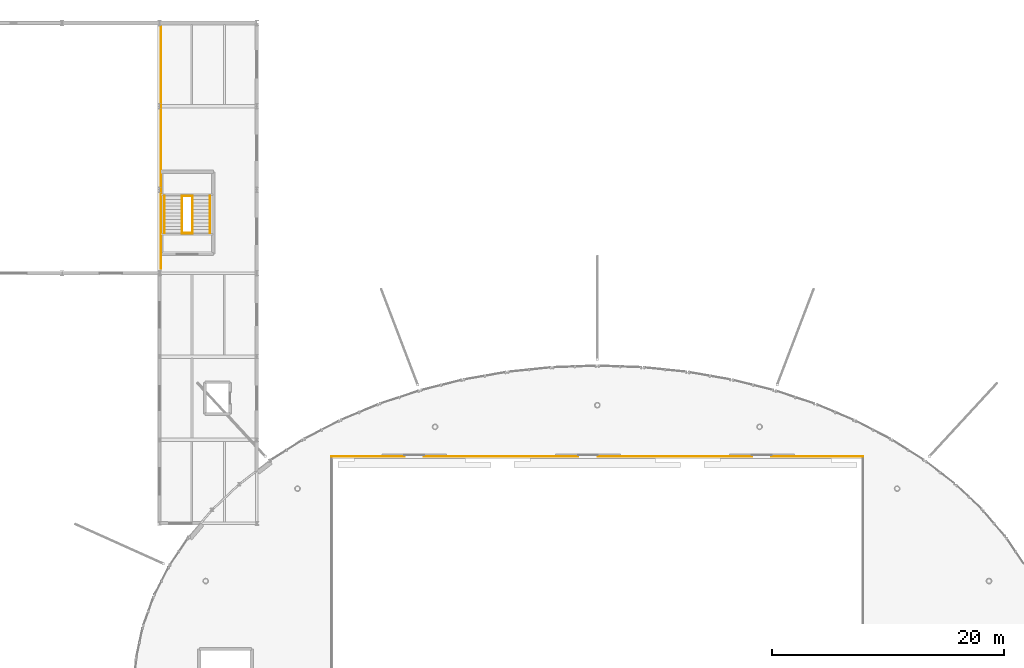
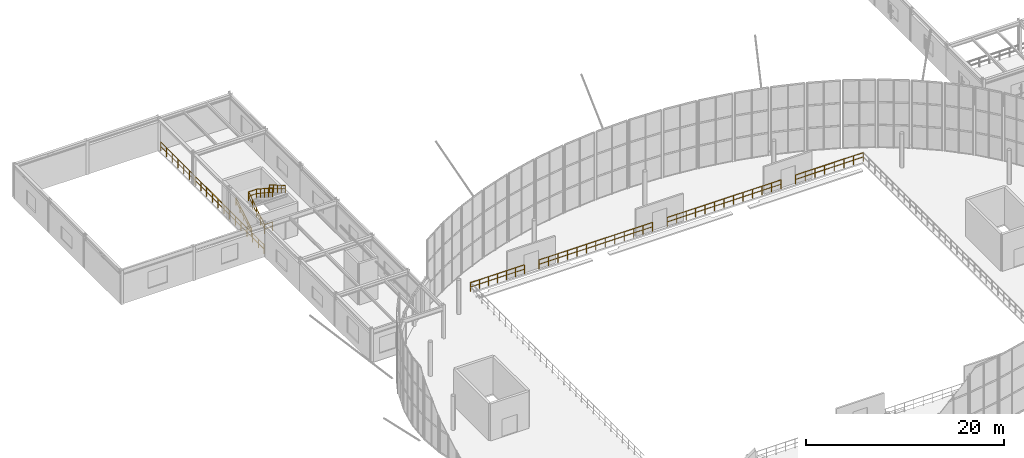
# One storey, part 86 of 109: 11 railings.
"""IFC4 building model written with IfcOpenShell, lengths in metres."""

from ifc_helpers import new_model, si_unit, derived_unit, direction, frame, origin, origin_2d, place, context, subcontext, project, spatial, circle, extrude, material, type_object, element, save


model = new_model("IFC4")

# Units and contexts
model_context = context("Model", 3, precision=1e-05, world=origin(), true_north=direction((0.0, 1.0)))
body_context = subcontext(model_context, "Body", "Model", "MODEL_VIEW")
ifc_project = project(units=[si_unit("LENGTHUNIT", "METRE"), si_unit("AREAUNIT", "SQUARE_METRE"), si_unit("VOLUMEUNIT", "CUBIC_METRE"), si_unit("PLANEANGLEUNIT", "RADIAN"), si_unit("MASSUNIT", "GRAM", prefix="KILO"), derived_unit("THERMALTRANSMITTANCEUNIT", [(si_unit("MASSUNIT", "GRAM", prefix="KILO"), 1), (si_unit("TIMEUNIT", "SECOND"), -3), (si_unit("THERMODYNAMICTEMPERATUREUNIT", "KELVIN"), -1)])], contexts=[model_context])

# Site, building, storey
site_placement = place(None, origin())
site = spatial("IfcSite", under=ifc_project, at=site_placement, CompositionType="ELEMENT")
building_placement = place(site_placement, origin())
building = spatial("IfcBuilding", under=site, at=building_placement, Name="Kharveza Railside Sports Centre", CompositionType="ELEMENT")
storey_placement = place(building_placement, frame((0.0, 0.0, 4.5)))
storey = spatial("IfcBuildingStorey", under=building, at=storey_placement, Name="L01", CompositionType="ELEMENT", Elevation=4.5)

# Railings
ifc_material = material(Name="Steel S275JR", Category="steel")
railing_type_1 = type_object("IfcRailingType", Name="RL-GD110", PredefinedType="GUARDRAIL", material=ifc_material)
railing_1_placement = place(storey_placement, frame((18.72998046875, 89.840087890625, 0.0)))
element("IfcRailing", 1, at=railing_1_placement, inside=storey, type_object=railing_type_1, Name="RL-STSLOT-ST6-L01", PredefinedType="GUARDRAIL", context=body_context, shape_type="SweptSolid", body=[
    extrude(circle(Radius=0.02392578125, at=origin_2d()), frame((0.0, 0.0, 1.09619140625), z_axis=(1.0, 0.0, 0.0), x_axis=(0.0, 1.0, 0.0)), (0.0, 0.0, 1.0), 0.93994140625),
    extrude(circle(Radius=0.01611328125, at=origin_2d()), frame((0.0, 0.0, 0.56005859375), z_axis=(1.0, 0.0, 0.0), x_axis=(0.0, 1.0, 0.0)), (0.0, 0.0, 1.0), 0.93994140625),
    extrude(circle(Radius=0.02099609375, at=origin_2d()), origin(), (0.0, 0.0, 1.0), 1.072021484375),
    extrude(circle(Radius=0.02099609375, at=origin_2d()), frame((0.93994140625, 0.0, 0.0)), (0.0, 0.0, 1.0), 1.072021484375),
])
railing_2_placement = place(storey_placement, frame((18.72998046875, 89.860107421875, 0.0)))
element("IfcRailing", 2, at=railing_2_placement, inside=storey, type_object=railing_type_1, Name="STR-ST6-L01-GD1", PredefinedType="GUARDRAIL", context=body_context, shape_type="SweptSolid", body=[
    extrude(circle(Radius=0.02392578125, at=origin_2d()), frame((0.0, 0.0, 1.09619140625), z_axis=(0.0, 0.835242474824, 0.549881812983), x_axis=(-1.0, 0.0, 0.0)), (0.0, 0.0, 1.0), 3.819091796875),
    extrude(circle(Radius=0.01611328125, at=origin_2d()), frame((0.0, 0.0, 0.56005859375), z_axis=(0.0, 0.835242474824, 0.549881812983), x_axis=(-1.0, 0.0, 0.0)), (0.0, 0.0, 1.0), 3.819091796875),
    extrude(circle(Radius=0.02099609375, at=origin_2d()), origin(), (0.0, 0.0, 1.0), 1.072021484375),
    extrude(circle(Radius=0.02099609375, at=origin_2d()), frame((0.0, 0.79736328125, 0.52490234375)), (0.0, 0.0, 1.0), 1.072021484375),
    extrude(circle(Radius=0.02099609375, at=origin_2d()), frame((0.0, 1.594970703125, 1.050048828125)), (0.0, 0.0, 1.0), 1.072021484375),
    extrude(circle(Radius=0.02099609375, at=origin_2d()), frame((0.0, 2.392578125, 1.5751953125)), (0.0, 0.0, 1.0), 1.072021484375),
    extrude(circle(Radius=0.02099609375, at=origin_2d()), frame((0.0, 3.18994140625, 2.10009765625)), (0.0, 0.0, 1.0), 1.072021484375),
])
railing_3_placement = place(storey_placement, frame((19.669921875, 93.050048828125, 2.10009765625)))
element("IfcRailing", 3, at=railing_3_placement, inside=storey, type_object=railing_type_1, Name="STR-ST6-L01-GD2", PredefinedType="GUARDRAIL", context=body_context, shape_type="SweptSolid", body=[
    extrude(circle(Radius=0.02392578125, at=origin_2d()), frame((0.0, 0.0, 1.09619140625), z_axis=(0.0, -0.835271834381, 0.549837214719), x_axis=(1.0, 0.0, 0.0)), (0.0, 0.0, 1.0), 3.819091796875),
    extrude(circle(Radius=0.01611328125, at=origin_2d()), frame((0.0, 0.0, 0.56005859375), z_axis=(0.0, -0.835271834381, 0.549837214719), x_axis=(1.0, 0.0, 0.0)), (0.0, 0.0, 1.0), 3.819091796875),
    extrude(circle(Radius=0.02099609375, at=origin_2d()), origin(), (0.0, 0.0, 1.0), 1.072021484375),
    extrude(circle(Radius=0.02099609375, at=origin_2d()), frame((0.0, -0.79736328125, 0.52490234375)), (0.0, 0.0, 1.0), 1.072021484375),
    extrude(circle(Radius=0.02099609375, at=origin_2d()), frame((0.0, -1.594970703125, 1.0498046875)), (0.0, 0.0, 1.0), 1.072021484375),
    extrude(circle(Radius=0.02099609375, at=origin_2d()), frame((0.0, -2.392578125, 1.574951171875)), (0.0, 0.0, 1.0), 1.072021484375),
    extrude(circle(Radius=0.02099609375, at=origin_2d()), frame((0.0, -3.18994140625, 2.099853515625)), (0.0, 0.0, 1.0), 1.072021484375),
])
railing_4_placement = place(storey_placement, frame((18.72998046875, 93.050048828125, 2.10009765625)))
element("IfcRailing", 4, at=railing_4_placement, inside=storey, type_object=railing_type_1, Name="STR-ST6-L01-GDH", PredefinedType="GUARDRAIL", context=body_context, shape_type="SweptSolid", body=[
    extrude(circle(Radius=0.02392578125, at=origin_2d()), frame((0.0, 0.0, 1.09619140625), z_axis=(1.0, 0.0, 0.0), x_axis=(0.0, 1.0, 0.0)), (0.0, 0.0, 1.0), 0.93994140625),
    extrude(circle(Radius=0.01611328125, at=origin_2d()), frame((0.0, 0.0, 0.56005859375), z_axis=(1.0, 0.0, 0.0), x_axis=(0.0, 1.0, 0.0)), (0.0, 0.0, 1.0), 0.93994140625),
    extrude(circle(Radius=0.02099609375, at=origin_2d()), origin(), (0.0, 0.0, 1.0), 1.072021484375),
    extrude(circle(Radius=0.02099609375, at=origin_2d()), frame((0.93994140625, 0.0, 0.0)), (0.0, 0.0, 1.0), 1.072021484375),
])
railing_5_placement = place(storey_placement, frame((31.64990234375, 70.550048828125, 0.0)))
element("IfcRailing", 5, at=railing_5_placement, inside=storey, type_object=railing_type_1, Name="RL-BOWL-RN-1", PredefinedType="GUARDRAIL", context=body_context, shape_type="SweptSolid", body=[
    extrude(circle(Radius=0.02392578125, at=origin_2d()), frame((0.0, 0.0, 1.09619140625), z_axis=(1.0, 0.0, 0.0), x_axis=(0.0, 1.0, 0.0)), (0.0, 0.0, 1.0), 6.300048828125),
    extrude(circle(Radius=0.01611328125, at=origin_2d()), frame((0.0, 0.0, 0.56005859375), z_axis=(1.0, 0.0, 0.0), x_axis=(0.0, 1.0, 0.0)), (0.0, 0.0, 1.0), 6.300048828125),
    extrude(circle(Radius=0.02099609375, at=origin_2d()), origin(), (0.0, 0.0, 1.0), 1.072021484375),
    extrude(circle(Radius=0.02099609375, at=origin_2d()), frame((1.050048828125, 0.0, 0.0)), (0.0, 0.0, 1.0), 1.072021484375),
    extrude(circle(Radius=0.02099609375, at=origin_2d()), frame((2.10009765625, 0.0, 0.0)), (0.0, 0.0, 1.0), 1.072021484375),
    extrude(circle(Radius=0.02099609375, at=origin_2d()), frame((3.14990234375, 0.0, 0.0)), (0.0, 0.0, 1.0), 1.072021484375),
    extrude(circle(Radius=0.02099609375, at=origin_2d()), frame((4.199951171875, 0.0, 0.0)), (0.0, 0.0, 1.0), 1.072021484375),
    extrude(circle(Radius=0.02099609375, at=origin_2d()), frame((5.25, 0.0, 0.0)), (0.0, 0.0, 1.0), 1.072021484375),
    extrude(circle(Radius=0.02099609375, at=origin_2d()), frame((6.300048828125, 0.0, 0.0)), (0.0, 0.0, 1.0), 1.072021484375),
])
railing_6_placement = place(storey_placement, frame((39.64990234375, 70.550048828125, 0.0)))
element("IfcRailing", 6, at=railing_6_placement, inside=storey, type_object=railing_type_1, Name="RL-BOWL-RN-2", PredefinedType="GUARDRAIL", context=body_context, shape_type="SweptSolid", body=[
    extrude(circle(Radius=0.02392578125, at=origin_2d()), frame((0.0, 0.0, 1.09619140625), z_axis=(1.0, 0.0, 0.0), x_axis=(0.0, 1.0, 0.0)), (0.0, 0.0, 1.0), 13.300048828125),
    extrude(circle(Radius=0.01611328125, at=origin_2d()), frame((0.0, 0.0, 0.56005859375), z_axis=(1.0, 0.0, 0.0), x_axis=(0.0, 1.0, 0.0)), (0.0, 0.0, 1.0), 13.300048828125),
    extrude(circle(Radius=0.02099609375, at=origin_2d()), origin(), (0.0, 0.0, 1.0), 1.072021484375),
    extrude(circle(Radius=0.02099609375, at=origin_2d()), frame((1.1083984375, 0.0, 0.0)), (0.0, 0.0, 1.0), 1.072021484375),
    extrude(circle(Radius=0.02099609375, at=origin_2d()), frame((2.216796875, 0.0, 0.0)), (0.0, 0.0, 1.0), 1.072021484375),
    extrude(circle(Radius=0.02099609375, at=origin_2d()), frame((3.324951171875, 0.0, 0.0)), (0.0, 0.0, 1.0), 1.072021484375),
    extrude(circle(Radius=0.02099609375, at=origin_2d()), frame((4.433349609375, 0.0, 0.0)), (0.0, 0.0, 1.0), 1.072021484375),
    extrude(circle(Radius=0.02099609375, at=origin_2d()), frame((5.541748046875, 0.0, 0.0)), (0.0, 0.0, 1.0), 1.072021484375),
    extrude(circle(Radius=0.02099609375, at=origin_2d()), frame((6.64990234375, 0.0, 0.0)), (0.0, 0.0, 1.0), 1.072021484375),
    extrude(circle(Radius=0.02099609375, at=origin_2d()), frame((7.75830078125, 0.0, 0.0)), (0.0, 0.0, 1.0), 1.072021484375),
    extrude(circle(Radius=0.02099609375, at=origin_2d()), frame((8.86669921875, 0.0, 0.0)), (0.0, 0.0, 1.0), 1.072021484375),
    extrude(circle(Radius=0.02099609375, at=origin_2d()), frame((9.97509765625, 0.0, 0.0)), (0.0, 0.0, 1.0), 1.072021484375),
    extrude(circle(Radius=0.02099609375, at=origin_2d()), frame((11.08349609375, 0.0, 0.0)), (0.0, 0.0, 1.0), 1.072021484375),
    extrude(circle(Radius=0.02099609375, at=origin_2d()), frame((12.191650390625, 0.0, 0.0)), (0.0, 0.0, 1.0), 1.072021484375),
    extrude(circle(Radius=0.02099609375, at=origin_2d()), frame((13.300048828125, 0.0, 0.0)), (0.0, 0.0, 1.0), 1.072021484375),
])
railing_7_placement = place(storey_placement, frame((54.64990234375, 70.550048828125, 0.0)))
element("IfcRailing", 7, at=railing_7_placement, inside=storey, type_object=railing_type_1, Name="RL-BOWL-RN-3", PredefinedType="GUARDRAIL", context=body_context, shape_type="SweptSolid", body=[
    extrude(circle(Radius=0.02392578125, at=origin_2d()), frame((0.0, 0.0, 1.09619140625), z_axis=(1.0, 0.0, 0.0), x_axis=(0.0, 1.0, 0.0)), (0.0, 0.0, 1.0), 13.300048828125),
    extrude(circle(Radius=0.01611328125, at=origin_2d()), frame((0.0, 0.0, 0.56005859375), z_axis=(1.0, 0.0, 0.0), x_axis=(0.0, 1.0, 0.0)), (0.0, 0.0, 1.0), 13.300048828125),
    extrude(circle(Radius=0.02099609375, at=origin_2d()), origin(), (0.0, 0.0, 1.0), 1.072021484375),
    extrude(circle(Radius=0.02099609375, at=origin_2d()), frame((1.1083984375, 0.0, 0.0)), (0.0, 0.0, 1.0), 1.072021484375),
    extrude(circle(Radius=0.02099609375, at=origin_2d()), frame((2.216796875, 0.0, 0.0)), (0.0, 0.0, 1.0), 1.072021484375),
    extrude(circle(Radius=0.02099609375, at=origin_2d()), frame((3.324951171875, 0.0, 0.0)), (0.0, 0.0, 1.0), 1.072021484375),
    extrude(circle(Radius=0.02099609375, at=origin_2d()), frame((4.433349609375, 0.0, 0.0)), (0.0, 0.0, 1.0), 1.072021484375),
    extrude(circle(Radius=0.02099609375, at=origin_2d()), frame((5.541748046875, 0.0, 0.0)), (0.0, 0.0, 1.0), 1.072021484375),
    extrude(circle(Radius=0.02099609375, at=origin_2d()), frame((6.64990234375, 0.0, 0.0)), (0.0, 0.0, 1.0), 1.072021484375),
    extrude(circle(Radius=0.02099609375, at=origin_2d()), frame((7.75830078125, 0.0, 0.0)), (0.0, 0.0, 1.0), 1.072021484375),
    extrude(circle(Radius=0.02099609375, at=origin_2d()), frame((8.86669921875, 0.0, 0.0)), (0.0, 0.0, 1.0), 1.072021484375),
    extrude(circle(Radius=0.02099609375, at=origin_2d()), frame((9.97509765625, 0.0, 0.0)), (0.0, 0.0, 1.0), 1.072021484375),
    extrude(circle(Radius=0.02099609375, at=origin_2d()), frame((11.08349609375, 0.0, 0.0)), (0.0, 0.0, 1.0), 1.072021484375),
    extrude(circle(Radius=0.02099609375, at=origin_2d()), frame((12.191650390625, 0.0, 0.0)), (0.0, 0.0, 1.0), 1.072021484375),
    extrude(circle(Radius=0.02099609375, at=origin_2d()), frame((13.300048828125, 0.0, 0.0)), (0.0, 0.0, 1.0), 1.072021484375),
])
railing_8_placement = place(storey_placement, frame((69.64990234375, 70.550048828125, 0.0)))
element("IfcRailing", 8, at=railing_8_placement, inside=storey, type_object=railing_type_1, Name="RL-BOWL-RN-4", PredefinedType="GUARDRAIL", context=body_context, shape_type="SweptSolid", body=[
    extrude(circle(Radius=0.02392578125, at=origin_2d()), frame((0.0, 0.0, 1.09619140625), z_axis=(1.0, 0.0, 0.0), x_axis=(0.0, 1.0, 0.0)), (0.0, 0.0, 1.0), 7.900146484375),
    extrude(circle(Radius=0.01611328125, at=origin_2d()), frame((0.0, 0.0, 0.56005859375), z_axis=(1.0, 0.0, 0.0), x_axis=(0.0, 1.0, 0.0)), (0.0, 0.0, 1.0), 7.900146484375),
    extrude(circle(Radius=0.02099609375, at=origin_2d()), origin(), (0.0, 0.0, 1.0), 1.072021484375),
    extrude(circle(Radius=0.02099609375, at=origin_2d()), frame((1.128662109375, 0.0, 0.0)), (0.0, 0.0, 1.0), 1.072021484375),
    extrude(circle(Radius=0.02099609375, at=origin_2d()), frame((2.257080078125, 0.0, 0.0)), (0.0, 0.0, 1.0), 1.072021484375),
    extrude(circle(Radius=0.02099609375, at=origin_2d()), frame((3.3857421875, 0.0, 0.0)), (0.0, 0.0, 1.0), 1.072021484375),
    extrude(circle(Radius=0.02099609375, at=origin_2d()), frame((4.514404296875, 0.0, 0.0)), (0.0, 0.0, 1.0), 1.072021484375),
    extrude(circle(Radius=0.02099609375, at=origin_2d()), frame((5.64306640625, 0.0, 0.0)), (0.0, 0.0, 1.0), 1.072021484375),
    extrude(circle(Radius=0.02099609375, at=origin_2d()), frame((6.771484375, 0.0, 0.0)), (0.0, 0.0, 1.0), 1.072021484375),
    extrude(circle(Radius=0.02099609375, at=origin_2d()), frame((7.900146484375, 0.0, 0.0)), (0.0, 0.0, 1.0), 1.072021484375),
])
railing_9_placement = place(storey_placement, frame((16.919921875, 86.800048828125, 0.0)))
element("IfcRailing", 9, at=railing_9_placement, inside=storey, type_object=railing_type_1, Name="RL-CLIMB-GAL-L01", PredefinedType="GUARDRAIL", context=body_context, shape_type="SweptSolid", body=[
    extrude(circle(Radius=0.02392578125, at=origin_2d()), frame((0.0, 0.0, 1.09619140625), z_axis=(0.0, 1.0, 0.0), x_axis=(-1.0, 0.0, 0.0)), (0.0, 0.0, 1.0), 20.89990234375),
    extrude(circle(Radius=0.01611328125, at=origin_2d()), frame((0.0, 0.0, 0.56005859375), z_axis=(0.0, 1.0, 0.0), x_axis=(-1.0, 0.0, 0.0)), (0.0, 0.0, 1.0), 20.89990234375),
    extrude(circle(Radius=0.02099609375, at=origin_2d()), origin(), (0.0, 0.0, 1.0), 1.072021484375),
    extrude(circle(Radius=0.02099609375, at=origin_2d()), frame((0.0, 1.1611328125, 0.0)), (0.0, 0.0, 1.0), 1.072021484375),
    extrude(circle(Radius=0.02099609375, at=origin_2d()), frame((0.0, 2.322265625, 0.0)), (0.0, 0.0, 1.0), 1.072021484375),
    extrude(circle(Radius=0.02099609375, at=origin_2d()), frame((0.0, 3.4833984375, 0.0)), (0.0, 0.0, 1.0), 1.072021484375),
    extrude(circle(Radius=0.02099609375, at=origin_2d()), frame((0.0, 4.64453125, 0.0)), (0.0, 0.0, 1.0), 1.072021484375),
    extrude(circle(Radius=0.02099609375, at=origin_2d()), frame((0.0, 5.805419921875, 0.0)), (0.0, 0.0, 1.0), 1.072021484375),
    extrude(circle(Radius=0.02099609375, at=origin_2d()), frame((0.0, 6.966552734375, 0.0)), (0.0, 0.0, 1.0), 1.072021484375),
    extrude(circle(Radius=0.02099609375, at=origin_2d()), frame((0.0, 8.127685546875, 0.0)), (0.0, 0.0, 1.0), 1.072021484375),
    extrude(circle(Radius=0.02099609375, at=origin_2d()), frame((0.0, 9.288818359375, 0.0)), (0.0, 0.0, 1.0), 1.072021484375),
    extrude(circle(Radius=0.02099609375, at=origin_2d()), frame((0.0, 10.449951171875, 0.0)), (0.0, 0.0, 1.0), 1.072021484375),
    extrude(circle(Radius=0.02099609375, at=origin_2d()), frame((0.0, 11.611083984375, 0.0)), (0.0, 0.0, 1.0), 1.072021484375),
    extrude(circle(Radius=0.02099609375, at=origin_2d()), frame((0.0, 12.772216796875, 0.0)), (0.0, 0.0, 1.0), 1.072021484375),
    extrude(circle(Radius=0.02099609375, at=origin_2d()), frame((0.0, 13.933349609375, 0.0)), (0.0, 0.0, 1.0), 1.072021484375),
    extrude(circle(Radius=0.02099609375, at=origin_2d()), frame((0.0, 15.094482421875, 0.0)), (0.0, 0.0, 1.0), 1.072021484375),
    extrude(circle(Radius=0.02099609375, at=origin_2d()), frame((0.0, 16.25537109375, 0.0)), (0.0, 0.0, 1.0), 1.072021484375),
    extrude(circle(Radius=0.02099609375, at=origin_2d()), frame((0.0, 17.41650390625, 0.0)), (0.0, 0.0, 1.0), 1.072021484375),
    extrude(circle(Radius=0.02099609375, at=origin_2d()), frame((0.0, 18.57763671875, 0.0)), (0.0, 0.0, 1.0), 1.072021484375),
    extrude(circle(Radius=0.02099609375, at=origin_2d()), frame((0.0, 19.73876953125, 0.0)), (0.0, 0.0, 1.0), 1.072021484375),
    extrude(circle(Radius=0.02099609375, at=origin_2d()), frame((0.0, 20.89990234375, 0.0)), (0.0, 0.0, 1.0), 1.072021484375),
])
railing_type_2 = type_object("IfcRailingType", Name="RL-HR092", PredefinedType="HANDRAIL", material=ifc_material)
railing_10_placement = place(storey_placement, frame((17.239990234375, 89.860107421875, 0.175048828125)))
element("IfcRailing", 10, at=railing_10_placement, inside=storey, type_object=railing_type_2, Name="STR-ST6-L01-HR1", PredefinedType="HANDRAIL", context=body_context, shape_type="SweptSolid", body=[
    extrude(circle(Radius=0.02392578125, at=origin_2d()), frame((0.0, 0.0, 0.89599609375), z_axis=(0.0, 0.856177665481, 0.516681531633), x_axis=(-1.0, 0.0, 0.0)), (0.0, 0.0, 1.0), 3.725830078125),
    extrude(circle(Radius=0.01611328125, at=origin_2d()), frame((0.0, 0.0, 0.4599609375), z_axis=(0.0, 0.856177665481, 0.516681531633), x_axis=(-1.0, 0.0, 0.0)), (0.0, 0.0, 1.0), 3.725830078125),
    extrude(circle(Radius=0.02099609375, at=origin_2d()), origin(), (0.0, 0.0, 1.0), 0.871826171875),
    extrude(circle(Radius=0.02099609375, at=origin_2d()), frame((0.0, 0.79736328125, 0.481201171875)), (0.0, 0.0, 1.0), 0.871826171875),
    extrude(circle(Radius=0.02099609375, at=origin_2d()), frame((0.0, 1.594970703125, 0.96240234375)), (0.0, 0.0, 1.0), 0.871826171875),
    extrude(circle(Radius=0.02099609375, at=origin_2d()), frame((0.0, 2.392578125, 1.44384765625)), (0.0, 0.0, 1.0), 0.871826171875),
    extrude(circle(Radius=0.02099609375, at=origin_2d()), frame((0.0, 3.18994140625, 1.925048828125)), (0.0, 0.0, 1.0), 0.871826171875),
])
railing_11_placement = place(storey_placement, frame((21.159912109375, 93.050048828125, 2.27490234375)))
element("IfcRailing", 11, at=railing_11_placement, inside=storey, type_object=railing_type_2, Name="STR-ST6-L01-HR2", PredefinedType="HANDRAIL", context=body_context, shape_type="SweptSolid", body=[
    extrude(circle(Radius=0.02392578125, at=origin_2d()), frame((0.0, 0.0, 0.89599609375), z_axis=(0.0, -0.856177665481, 0.516681531633), x_axis=(1.0, 0.0, 0.0)), (0.0, 0.0, 1.0), 3.725830078125),
    extrude(circle(Radius=0.01611328125, at=origin_2d()), frame((0.0, 0.0, 0.4599609375), z_axis=(0.0, -0.856177665481, 0.516681531633), x_axis=(1.0, 0.0, 0.0)), (0.0, 0.0, 1.0), 3.725830078125),
    extrude(circle(Radius=0.02099609375, at=origin_2d()), origin(), (0.0, 0.0, 1.0), 0.871826171875),
    extrude(circle(Radius=0.02099609375, at=origin_2d()), frame((0.0, -0.79736328125, 0.481201171875)), (0.0, 0.0, 1.0), 0.871826171875),
    extrude(circle(Radius=0.02099609375, at=origin_2d()), frame((0.0, -1.594970703125, 0.96240234375)), (0.0, 0.0, 1.0), 0.871826171875),
    extrude(circle(Radius=0.02099609375, at=origin_2d()), frame((0.0, -2.392578125, 1.44384765625)), (0.0, 0.0, 1.0), 0.871826171875),
    extrude(circle(Radius=0.02099609375, at=origin_2d()), frame((0.0, -3.18994140625, 1.925048828125)), (0.0, 0.0, 1.0), 0.871826171875),
])

save(model, "model.ifc")
